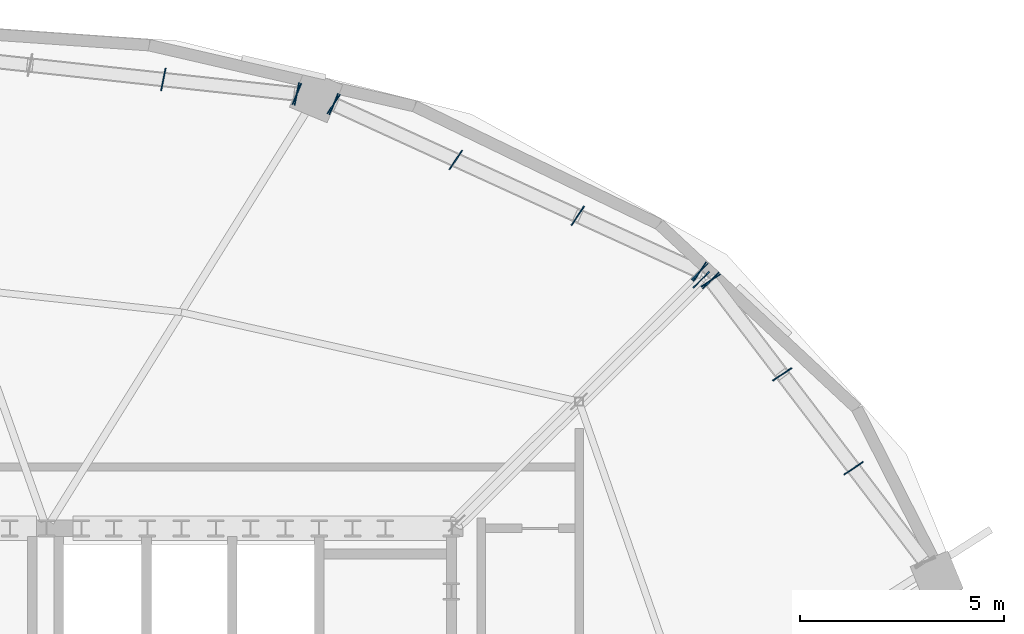
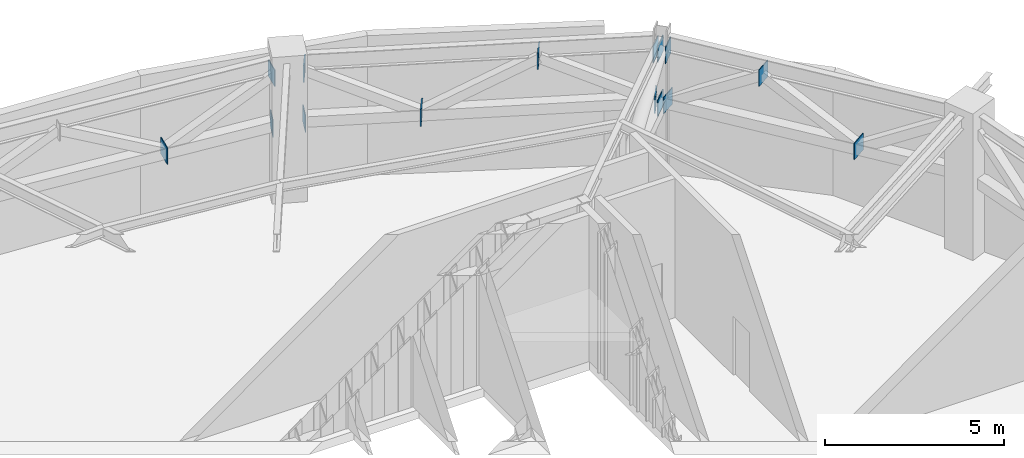
# One storey, part 13 of 20: 15 plates.
"""IFC4 building model written with IfcOpenShell, lengths in metres."""

from ifc_helpers import new_model, si_unit, direction, frame, origin, origin_2d, place, context, subcontext, project, spatial, rectangle, extrude, material, layer, layer_set, type_object, element, save


model = new_model("IFC4")

# Units and contexts
model_context = context("Model", 3, precision=1e-05, world=origin(), true_north=direction((0.0, 1.0)))
body_context = subcontext(model_context, "Body", "Model", "MODEL_VIEW")
ifc_project = project(units=[si_unit("LENGTHUNIT", "METRE"), si_unit("AREAUNIT", "SQUARE_METRE"), si_unit("VOLUMEUNIT", "CUBIC_METRE"), si_unit("PLANEANGLEUNIT", "RADIAN"), si_unit("MASSUNIT", "GRAM", prefix="KILO")], contexts=[model_context])

# Site, building, storey
site_placement = place(None, origin())
site = spatial("IfcSite", under=ifc_project, at=site_placement, CompositionType="ELEMENT")
building_placement = place(site_placement, origin())
building = spatial("IfcBuilding", under=site, at=building_placement, Name="Haldorwick Loom Tower", CompositionType="ELEMENT")
storey_placement = place(building_placement, frame((0.0, 0.0, 222.10009765625)))
storey = spatial("IfcBuildingStorey", under=building, at=storey_placement, Name="L60", CompositionType="ELEMENT", Elevation=222.10009765625)

# Plates
ifc_material = material(Name="Steel CSA G40.21 350W", Category="steel")
ifc_layer = layer(ifc_material, 0.028076171875, Name="Steel CSA G40.21 350W", Category="steel")
ifc_layer_set = layer_set([ifc_layer], Name="Steel CSA G40.21 350W")
plate_type = type_object("IfcPlateType", Name="STR-PLT-GUS28", PredefinedType="SHEET", material=ifc_layer_set)
for number, where, z_axis, x_axis, name in (
    (1, (59.924072265625, 37.021484375, 2.219970703125), (0.0, 0.0, 1.0), (0.831469612303, 0.55557023302, 0.0), "L60 Truss Node Gusset Plate PLT-L60-BGUS-01-0B"),
    (2, (58.1748046875, 39.322265625, 3.935791015625), (0.0, 0.0, 1.0), (0.831469612303, 0.55557023302, 0.0), "L60 Truss Node Gusset Plate PLT-L60-BGUS-01-1B"),
    (3, (56.42529296875, 41.623291015625, 2.219970703125), (0.0, 0.0, 1.0), (0.831469612303, 0.55557023302, 0.0), "L60 Truss Node Gusset Plate PLT-L60-BGUS-01-2B"),
    (4, (56.42529296875, 41.623291015625, 3.935791015625), (0.0, 0.0, 1.0), (0.707106781187, 0.707106781187, 0.0), "L60 Truss Node Gusset Plate PLT-L60-BGUS-01D"),
    (5, (56.15576171875, 41.839111328125, 2.219970703125), (0.0, 0.0, 1.0), (0.55557023302, 0.831469612303, 0.0), "L60 Truss Node Gusset Plate PLT-L60-BGUS-02-0A"),
    (6, (53.16552734375, 43.20703125, 3.935791015625), (0.0, 0.0, 1.0), (0.55557023302, 0.831469612303, 0.0), "L60 Truss Node Gusset Plate PLT-L60-BGUS-02-0B"),
    (7, (50.175537109375, 44.574951171875, 2.219970703125), (0.0, 0.0, 1.0), (0.55557023302, 0.831469612303, 0.0), "L60 Truss Node Gusset Plate PLT-L60-BGUS-02-1B"),
    (8, (47.185302734375, 45.943115234375, 3.935791015625), (0.0, 0.0, 1.0), (0.55557023302, 0.831469612303, 0.0), "L60 Truss Node Gusset Plate PLT-L60-BGUS-02-2B"),
    (9, (56.15576171875, 41.839111328125, 3.935791015625), (0.0, 0.0, 1.0), (0.707106781187, 0.707106781187, 0.0), "L60 Truss Node Gusset Plate PLT-L60-BGUS-02B"),
    (10, (47.185302734375, 45.943115234375, 2.219970703125), (0.0, 0.0, 1.0), (0.382683432365, 0.923879532511, 0.0), "L60 Truss Node Gusset Plate PLT-L60-BGUS-02C"),
    (11, (46.28125, 46.191650390625, 3.935791015625), (0.0, 0.0, 1.0), (0.195090322016, 0.980785280403, 0.0), "L60 Truss Node Gusset Plate PLT-L60-BGUS-03-0A"),
    (12, (43.011474609375, 46.5458984375, 2.219970703125), (0.0, 0.0, 1.0), (0.195090322016, 0.980785280403, 0.0), "L60 Truss Node Gusset Plate PLT-L60-BGUS-03-0B"),
    (13, (46.28125, 46.191650390625, 2.219970703125), (0.0, 0.0, 1.0), (0.382683432365, 0.923879532511, 0.0), "L60 Truss Node Gusset Plate PLT-L60-BGUS-03A"),
    (14, (56.19140625, 41.639404296875, 2.219970703125), (0.0, 0.0, 1.0), (0.707106781187, 0.707106781187, 0.0), "L60 Truss Node Gusset Plate PLT-L60-OT-NE-PB0"),
    (15, (56.19140625, 41.639404296875, 4.06689453125), (0.0, 0.0, 1.0), (0.707106781187, 0.707106781187, 0.0), "L60 Truss Node Gusset Plate PLT-L60-OT-NE-PT0"),
):
    element("IfcPlate", number, at=place(storey_placement, frame(where, z_axis=z_axis, x_axis=x_axis)), inside=storey, type_object=plate_type, Name=name, PredefinedType="SHEET", context=body_context, shape_type="SweptSolid", body=[
        extrude(rectangle(XDim=0.56005859375, YDim=0.028076171875, at=origin_2d()), origin(), (0.0, 0.0, 1.0), 0.56005859375),
    ])

save(model, "model.ifc")
